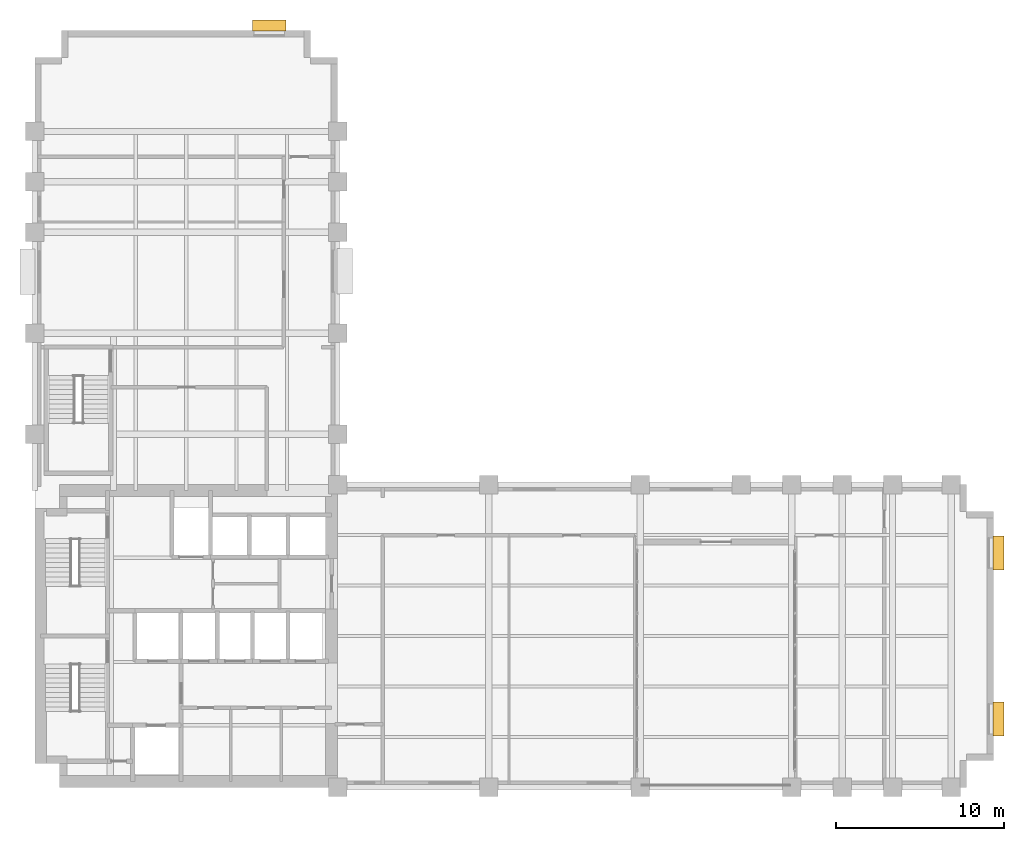
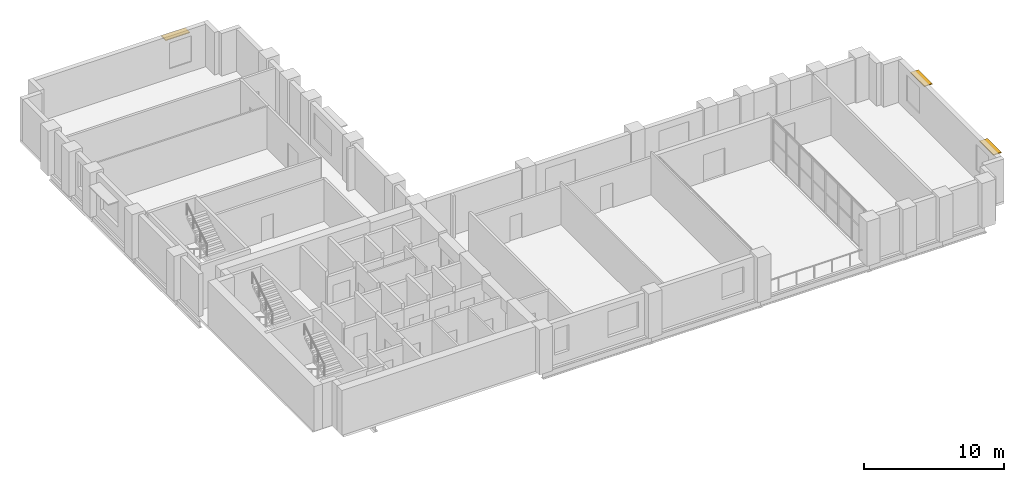
# One storey, part 12 of 12: 3 shading devices.
"""IFC4 building model written with IfcOpenShell, lengths in metres."""

from ifc_helpers import new_model, si_unit, direction, frame, origin, origin_2d, place, context, subcontext, project, spatial, rectangle, extrude, material, layer, layer_set, type_object, element, save


model = new_model("IFC4")

# Units and contexts
model_context = context("Model", 3, precision=1e-05, world=origin(), true_north=direction((0.0, 1.0)))
body_context = subcontext(model_context, "Body", "Model", "MODEL_VIEW")
ifc_project = project(units=[si_unit("LENGTHUNIT", "METRE"), si_unit("AREAUNIT", "SQUARE_METRE"), si_unit("VOLUMEUNIT", "CUBIC_METRE"), si_unit("PLANEANGLEUNIT", "RADIAN"), si_unit("MASSUNIT", "GRAM", prefix="KILO")], contexts=[model_context])

# Site, building, storey
site_placement = place(None, origin())
site = spatial("IfcSite", under=ifc_project, at=site_placement, CompositionType="ELEMENT")
building_placement = place(site_placement, origin())
building = spatial("IfcBuilding", under=site, at=building_placement, Name="Mawjdan Bourse Tower", CompositionType="ELEMENT")
storey_placement = place(building_placement, frame((0.0, 0.0, 120.60009765625)))
storey = spatial("IfcBuildingStorey", under=building, at=storey_placement, Name="L28", CompositionType="ELEMENT", Elevation=120.60009765625)

# Shading devices
ifc_material = material(Name="Bronze Anodised Aluminium", Category="aluminium")
ifc_layer = layer(ifc_material, 0.074951171875)
ifc_layer_set = layer_set([ifc_layer], Name="Bronze Anodised Aluminium")
shading_device_type = type_object("IfcShadingDeviceType", Name="SHD-SUN-650", PredefinedType="USERDEFINED", material=ifc_layer_set)
for number, where, z_axis, x_axis, name in (
    (1, (63.304931640625, 7.066650390625, 3.10009765625), (0.0, 0.0, 1.0), (0.0, 1.0, 0.0), "L28 Solar Window Hood 03"),
    (2, (63.304931640625, 16.933349609375, 3.10009765625), (0.0, 0.0, 1.0), (0.0, 1.0, 0.0), "L28 Solar Window Hood 04"),
    (3, (19.933349609375, 48.304931640625, 3.10009765625), (0.0, 0.0, 1.0), (-1.0, 0.0, 0.0), "L28 Solar Window Hood 08"),
):
    element("IfcShadingDevice", number, at=place(storey_placement, frame(where, z_axis=z_axis, x_axis=x_axis)), inside=storey, type_object=shading_device_type, Name=name, ObjectType="SUNSHADE", PredefinedType="USERDEFINED", context=body_context, shape_type="SweptSolid", body=[
        extrude(rectangle(XDim=2.0, YDim=0.64990234375, at=origin_2d()), origin(), (0.0, 0.0, 1.0), 0.074951171875),
    ])

save(model, "model.ifc")
